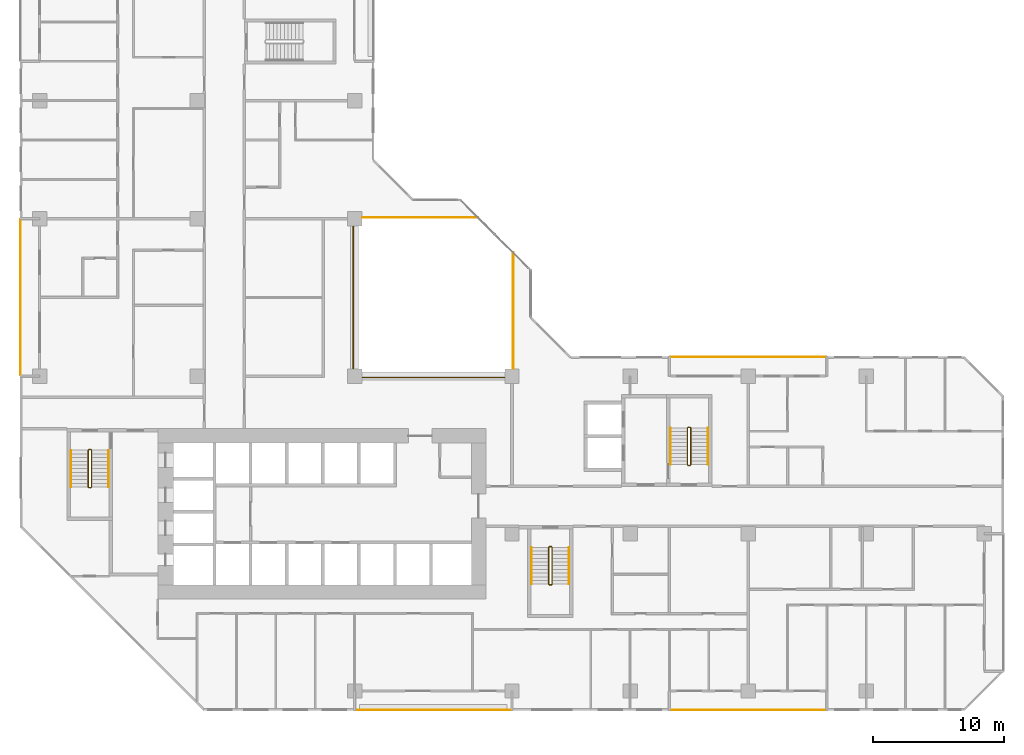
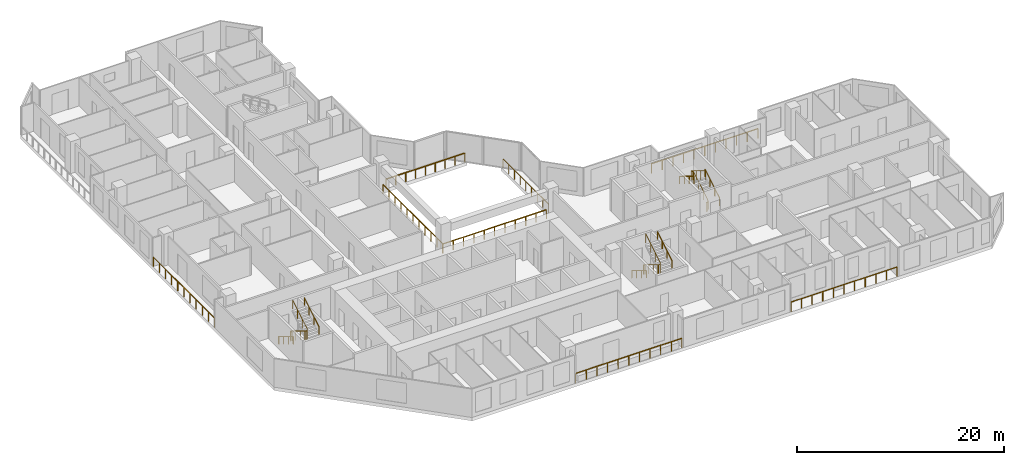
# One storey, part 14 of 15: 16 railings.
"""IFC4 building model written with IfcOpenShell, lengths in metres."""

from ifc_helpers import new_model, si_unit, direction, frame, origin, origin_2d, place, context, subcontext, project, spatial, rectangle, extrude, material, type_object, element, save


model = new_model("IFC4")

# Units and contexts
model_context = context("Model", 3, precision=1e-05, world=origin(), true_north=direction((0.0, 1.0)))
body_context = subcontext(model_context, "Body", "Model", "MODEL_VIEW")
ifc_project = project(units=[si_unit("LENGTHUNIT", "METRE"), si_unit("AREAUNIT", "SQUARE_METRE"), si_unit("VOLUMEUNIT", "CUBIC_METRE"), si_unit("PLANEANGLEUNIT", "RADIAN"), si_unit("MASSUNIT", "GRAM", prefix="KILO")], contexts=[model_context])

# Site, building, storey
site_placement = place(None, origin())
site = spatial("IfcSite", under=ifc_project, at=site_placement, CompositionType="ELEMENT")
building_placement = place(site_placement, origin())
building = spatial("IfcBuilding", under=site, at=building_placement, Name="Chenar Terraces", CompositionType="ELEMENT")
storey_placement = place(building_placement, frame((0.0, 0.0, 67.64990234375)))
storey = spatial("IfcBuildingStorey", under=building, at=storey_placement, Name="L14", CompositionType="ELEMENT", Elevation=67.64990234375)

# Railings
ifc_material_1 = material(Name="Powder-coated steel", Category="steel")
railing_type_1 = type_object("IfcRailingType", Name="Guard 1100 steel rail with glass infill", PredefinedType="GUARDRAIL", material=ifc_material_1)
railing_1_placement = place(storey_placement, frame((23.89990234375, 35.449951171875, 0.0)))
element("IfcRailing", 1, at=railing_1_placement, inside=storey, type_object=railing_type_1, Name="Guard L14-1", PredefinedType="GUARDRAIL", context=body_context, shape_type="SweptSolid", body=[
    extrude(rectangle(XDim=0.06005859375, YDim=0.06005859375, at=origin_2d()), frame((0.0, 0.0, 1.070068359375), z_axis=(0.0, -1.0, 0.0), x_axis=(1.0, 0.0, 0.0)), (0.0, 0.0, 1.0), 11.550048828125),
    extrude(rectangle(XDim=0.06005859375, YDim=0.06005859375, at=origin_2d()), frame((0.0, -11.550048828125, 1.070068359375), z_axis=(1.0, 0.0, 0.0), x_axis=(0.0, 1.0, 0.0)), (0.0, 0.0, 1.0), 11.550048828125),
    extrude(rectangle(XDim=0.050048828125, YDim=0.050048828125, at=origin_2d()), origin(), (0.0, 0.0, 1.0), 1.0400390625),
    extrude(rectangle(XDim=0.050048828125, YDim=0.050048828125, at=origin_2d()), frame((0.0, -1.155029296875, 0.0)), (0.0, 0.0, 1.0), 1.0400390625),
    extrude(rectangle(XDim=0.050048828125, YDim=0.050048828125, at=origin_2d()), frame((0.0, -2.31005859375, 0.0)), (0.0, 0.0, 1.0), 1.0400390625),
    extrude(rectangle(XDim=0.050048828125, YDim=0.050048828125, at=origin_2d()), frame((0.0, -3.465087890625, 0.0)), (0.0, 0.0, 1.0), 1.0400390625),
    extrude(rectangle(XDim=0.050048828125, YDim=0.050048828125, at=origin_2d()), frame((0.0, -4.6201171875, 0.0)), (0.0, 0.0, 1.0), 1.0400390625),
    extrude(rectangle(XDim=0.050048828125, YDim=0.050048828125, at=origin_2d()), frame((0.0, -5.77490234375, 0.0)), (0.0, 0.0, 1.0), 1.0400390625),
    extrude(rectangle(XDim=0.050048828125, YDim=0.050048828125, at=origin_2d()), frame((0.0, -6.929931640625, 0.0)), (0.0, 0.0, 1.0), 1.0400390625),
    extrude(rectangle(XDim=0.050048828125, YDim=0.050048828125, at=origin_2d()), frame((0.0, -8.0849609375, 0.0)), (0.0, 0.0, 1.0), 1.0400390625),
    extrude(rectangle(XDim=0.050048828125, YDim=0.050048828125, at=origin_2d()), frame((0.0, -9.239990234375, 0.0)), (0.0, 0.0, 1.0), 1.0400390625),
    extrude(rectangle(XDim=0.050048828125, YDim=0.050048828125, at=origin_2d()), frame((0.0, -10.39501953125, 0.0)), (0.0, 0.0, 1.0), 1.0400390625),
    extrude(rectangle(XDim=0.050048828125, YDim=0.050048828125, at=origin_2d()), frame((0.0, -11.550048828125, 0.0)), (0.0, 0.0, 1.0), 1.0400390625),
    extrude(rectangle(XDim=0.050048828125, YDim=0.050048828125, at=origin_2d()), frame((1.155029296875, -11.550048828125, 0.0)), (0.0, 0.0, 1.0), 1.0400390625),
    extrude(rectangle(XDim=0.050048828125, YDim=0.050048828125, at=origin_2d()), frame((2.31005859375, -11.550048828125, 0.0)), (0.0, 0.0, 1.0), 1.0400390625),
    extrude(rectangle(XDim=0.050048828125, YDim=0.050048828125, at=origin_2d()), frame((3.465087890625, -11.550048828125, 0.0)), (0.0, 0.0, 1.0), 1.0400390625),
    extrude(rectangle(XDim=0.050048828125, YDim=0.050048828125, at=origin_2d()), frame((4.6201171875, -11.550048828125, 0.0)), (0.0, 0.0, 1.0), 1.0400390625),
    extrude(rectangle(XDim=0.050048828125, YDim=0.050048828125, at=origin_2d()), frame((5.77490234375, -11.550048828125, 0.0)), (0.0, 0.0, 1.0), 1.0400390625),
    extrude(rectangle(XDim=0.050048828125, YDim=0.050048828125, at=origin_2d()), frame((6.929931640625, -11.550048828125, 0.0)), (0.0, 0.0, 1.0), 1.0400390625),
    extrude(rectangle(XDim=0.050048828125, YDim=0.050048828125, at=origin_2d()), frame((8.0849609375, -11.550048828125, 0.0)), (0.0, 0.0, 1.0), 1.0400390625),
    extrude(rectangle(XDim=0.050048828125, YDim=0.050048828125, at=origin_2d()), frame((9.239990234375, -11.550048828125, 0.0)), (0.0, 0.0, 1.0), 1.0400390625),
    extrude(rectangle(XDim=0.050048828125, YDim=0.050048828125, at=origin_2d()), frame((10.39501953125, -11.550048828125, 0.0)), (0.0, 0.0, 1.0), 1.0400390625),
    extrude(rectangle(XDim=0.050048828125, YDim=0.050048828125, at=origin_2d()), frame((11.550048828125, -11.550048828125, 0.0)), (0.0, 0.0, 1.0), 1.0400390625),
])
railing_2_placement = place(storey_placement, frame((24.60009765625, 36.10009765625, 0.0)))
element("IfcRailing", 2, at=railing_2_placement, inside=storey, type_object=railing_type_1, Name="Guard L14-2", PredefinedType="GUARDRAIL", context=body_context, shape_type="SweptSolid", body=[
    extrude(rectangle(XDim=0.06005859375, YDim=0.06005859375, at=origin_2d()), frame((0.0, 0.0, 1.070068359375), z_axis=(1.0, 0.0, 0.0), x_axis=(0.0, 1.0, 0.0)), (0.0, 0.0, 1.0), 8.7998046875),
    extrude(rectangle(XDim=0.050048828125, YDim=0.050048828125, at=origin_2d()), origin(), (0.0, 0.0, 1.0), 1.0400390625),
    extrude(rectangle(XDim=0.050048828125, YDim=0.050048828125, at=origin_2d()), frame((1.10009765625, 0.0, 0.0)), (0.0, 0.0, 1.0), 1.0400390625),
    extrude(rectangle(XDim=0.050048828125, YDim=0.050048828125, at=origin_2d()), frame((2.199951171875, 0.0, 0.0)), (0.0, 0.0, 1.0), 1.0400390625),
    extrude(rectangle(XDim=0.050048828125, YDim=0.050048828125, at=origin_2d()), frame((3.2998046875, 0.0, 0.0)), (0.0, 0.0, 1.0), 1.0400390625),
    extrude(rectangle(XDim=0.050048828125, YDim=0.050048828125, at=origin_2d()), frame((4.39990234375, 0.0, 0.0)), (0.0, 0.0, 1.0), 1.0400390625),
    extrude(rectangle(XDim=0.050048828125, YDim=0.050048828125, at=origin_2d()), frame((5.5, 0.0, 0.0)), (0.0, 0.0, 1.0), 1.0400390625),
    extrude(rectangle(XDim=0.050048828125, YDim=0.050048828125, at=origin_2d()), frame((6.599853515625, 0.0, 0.0)), (0.0, 0.0, 1.0), 1.0400390625),
    extrude(rectangle(XDim=0.050048828125, YDim=0.050048828125, at=origin_2d()), frame((7.69970703125, 0.0, 0.0)), (0.0, 0.0, 1.0), 1.0400390625),
    extrude(rectangle(XDim=0.050048828125, YDim=0.050048828125, at=origin_2d()), frame((8.7998046875, 0.0, 0.0)), (0.0, 0.0, 1.0), 1.0400390625),
])
railing_3_placement = place(storey_placement, frame((36.10009765625, 24.60009765625, 0.0)))
element("IfcRailing", 3, at=railing_3_placement, inside=storey, type_object=railing_type_1, Name="Guard L14-3", PredefinedType="GUARDRAIL", context=body_context, shape_type="SweptSolid", body=[
    extrude(rectangle(XDim=0.06005859375, YDim=0.06005859375, at=origin_2d()), frame((0.0, 0.0, 1.070068359375), z_axis=(0.0, 1.0, 0.0), x_axis=(-1.0, 0.0, 0.0)), (0.0, 0.0, 1.0), 8.7998046875),
    extrude(rectangle(XDim=0.050048828125, YDim=0.050048828125, at=origin_2d()), origin(), (0.0, 0.0, 1.0), 1.0400390625),
    extrude(rectangle(XDim=0.050048828125, YDim=0.050048828125, at=origin_2d()), frame((0.0, 1.10009765625, 0.0)), (0.0, 0.0, 1.0), 1.0400390625),
    extrude(rectangle(XDim=0.050048828125, YDim=0.050048828125, at=origin_2d()), frame((0.0, 2.199951171875, 0.0)), (0.0, 0.0, 1.0), 1.0400390625),
    extrude(rectangle(XDim=0.050048828125, YDim=0.050048828125, at=origin_2d()), frame((0.0, 3.2998046875, 0.0)), (0.0, 0.0, 1.0), 1.0400390625),
    extrude(rectangle(XDim=0.050048828125, YDim=0.050048828125, at=origin_2d()), frame((0.0, 4.39990234375, 0.0)), (0.0, 0.0, 1.0), 1.0400390625),
    extrude(rectangle(XDim=0.050048828125, YDim=0.050048828125, at=origin_2d()), frame((0.0, 5.5, 0.0)), (0.0, 0.0, 1.0), 1.0400390625),
    extrude(rectangle(XDim=0.050048828125, YDim=0.050048828125, at=origin_2d()), frame((0.0, 6.599853515625, 0.0)), (0.0, 0.0, 1.0), 1.0400390625),
    extrude(rectangle(XDim=0.050048828125, YDim=0.050048828125, at=origin_2d()), frame((0.0, 7.69970703125, 0.0)), (0.0, 0.0, 1.0), 1.0400390625),
    extrude(rectangle(XDim=0.050048828125, YDim=0.050048828125, at=origin_2d()), frame((0.0, 8.7998046875, 0.0)), (0.0, 0.0, 1.0), 1.0400390625),
])
ifc_material_2 = material(Name="Stainless steel and glass", Category="steel")
railing_type_2 = type_object("IfcRailingType", Name="Loggia guard 1150", PredefinedType="GUARDRAIL", material=ifc_material_2)
railing_4_placement = place(storey_placement, frame((59.925048828125, 25.449951171875, 0.0)))
element("IfcRailing", 4, at=railing_4_placement, inside=storey, type_object=railing_type_2, Name="Loggia guard", PredefinedType="GUARDRAIL", context=body_context, shape_type="SweptSolid", body=[
    extrude(rectangle(XDim=0.048095703125, YDim=0.048095703125, at=origin_2d()), frame((0.0, 0.0, 1.1259765625), z_axis=(-1.0, 0.0, 0.0), x_axis=(0.0, -1.0, 0.0)), (0.0, 0.0, 1.0), 11.85009765625),
    extrude(rectangle(XDim=0.0419921875, YDim=0.0419921875, at=origin_2d()), origin(), (0.0, 0.0, 1.0), 1.101806640625),
    extrude(rectangle(XDim=0.0419921875, YDim=0.0419921875, at=origin_2d()), frame((-1.18505859375, 0.0, 0.0)), (0.0, 0.0, 1.0), 1.101806640625),
    extrude(rectangle(XDim=0.0419921875, YDim=0.0419921875, at=origin_2d()), frame((-2.3701171875, 0.0, 0.0)), (0.0, 0.0, 1.0), 1.101806640625),
    extrude(rectangle(XDim=0.0419921875, YDim=0.0419921875, at=origin_2d()), frame((-3.554931640625, 0.0, 0.0)), (0.0, 0.0, 1.0), 1.101806640625),
    extrude(rectangle(XDim=0.0419921875, YDim=0.0419921875, at=origin_2d()), frame((-4.739990234375, 0.0, 0.0)), (0.0, 0.0, 1.0), 1.101806640625),
    extrude(rectangle(XDim=0.0419921875, YDim=0.0419921875, at=origin_2d()), frame((-5.925048828125, 0.0, 0.0)), (0.0, 0.0, 1.0), 1.101806640625),
    extrude(rectangle(XDim=0.0419921875, YDim=0.0419921875, at=origin_2d()), frame((-7.110107421875, 0.0, 0.0)), (0.0, 0.0, 1.0), 1.101806640625),
    extrude(rectangle(XDim=0.0419921875, YDim=0.0419921875, at=origin_2d()), frame((-8.295166015625, 0.0, 0.0)), (0.0, 0.0, 1.0), 1.101806640625),
    extrude(rectangle(XDim=0.0419921875, YDim=0.0419921875, at=origin_2d()), frame((-9.47998046875, 0.0, 0.0)), (0.0, 0.0, 1.0), 1.101806640625),
    extrude(rectangle(XDim=0.0419921875, YDim=0.0419921875, at=origin_2d()), frame((-10.6650390625, 0.0, 0.0)), (0.0, 0.0, 1.0), 1.101806640625),
    extrude(rectangle(XDim=0.0419921875, YDim=0.0419921875, at=origin_2d()), frame((-11.85009765625, 0.0, 0.0)), (0.0, 0.0, 1.0), 1.101806640625),
])
railing_5_placement = place(storey_placement, frame((24.074951171875, -1.449951171875, 0.0)))
element("IfcRailing", 5, at=railing_5_placement, inside=storey, type_object=railing_type_2, Name="Loggia guard", PredefinedType="GUARDRAIL", context=body_context, shape_type="SweptSolid", body=[
    extrude(rectangle(XDim=0.048095703125, YDim=0.048095703125, at=origin_2d()), frame((0.0, 0.0, 1.1259765625), z_axis=(1.0, 0.0, 0.0), x_axis=(0.0, 1.0, 0.0)), (0.0, 0.0, 1.0), 11.85009765625),
    extrude(rectangle(XDim=0.0419921875, YDim=0.0419921875, at=origin_2d()), origin(), (0.0, 0.0, 1.0), 1.101806640625),
    extrude(rectangle(XDim=0.0419921875, YDim=0.0419921875, at=origin_2d()), frame((1.18505859375, 0.0, 0.0)), (0.0, 0.0, 1.0), 1.101806640625),
    extrude(rectangle(XDim=0.0419921875, YDim=0.0419921875, at=origin_2d()), frame((2.3701171875, 0.0, 0.0)), (0.0, 0.0, 1.0), 1.101806640625),
    extrude(rectangle(XDim=0.0419921875, YDim=0.0419921875, at=origin_2d()), frame((3.554931640625, 0.0, 0.0)), (0.0, 0.0, 1.0), 1.101806640625),
    extrude(rectangle(XDim=0.0419921875, YDim=0.0419921875, at=origin_2d()), frame((4.739990234375, 0.0, 0.0)), (0.0, 0.0, 1.0), 1.101806640625),
    extrude(rectangle(XDim=0.0419921875, YDim=0.0419921875, at=origin_2d()), frame((5.925048828125, 0.0, 0.0)), (0.0, 0.0, 1.0), 1.101806640625),
    extrude(rectangle(XDim=0.0419921875, YDim=0.0419921875, at=origin_2d()), frame((7.110107421875, 0.0, 0.0)), (0.0, 0.0, 1.0), 1.101806640625),
    extrude(rectangle(XDim=0.0419921875, YDim=0.0419921875, at=origin_2d()), frame((8.295166015625, 0.0, 0.0)), (0.0, 0.0, 1.0), 1.101806640625),
    extrude(rectangle(XDim=0.0419921875, YDim=0.0419921875, at=origin_2d()), frame((9.47998046875, 0.0, 0.0)), (0.0, 0.0, 1.0), 1.101806640625),
    extrude(rectangle(XDim=0.0419921875, YDim=0.0419921875, at=origin_2d()), frame((10.6650390625, 0.0, 0.0)), (0.0, 0.0, 1.0), 1.101806640625),
    extrude(rectangle(XDim=0.0419921875, YDim=0.0419921875, at=origin_2d()), frame((11.85009765625, 0.0, 0.0)), (0.0, 0.0, 1.0), 1.101806640625),
])
railing_6_placement = place(storey_placement, frame((48.074951171875, -1.449951171875, 0.0)))
element("IfcRailing", 6, at=railing_6_placement, inside=storey, type_object=railing_type_2, Name="Loggia guard", PredefinedType="GUARDRAIL", context=body_context, shape_type="SweptSolid", body=[
    extrude(rectangle(XDim=0.048095703125, YDim=0.048095703125, at=origin_2d()), frame((0.0, 0.0, 1.1259765625), z_axis=(1.0, 0.0, 0.0), x_axis=(0.0, 1.0, 0.0)), (0.0, 0.0, 1.0), 11.85009765625),
    extrude(rectangle(XDim=0.0419921875, YDim=0.0419921875, at=origin_2d()), origin(), (0.0, 0.0, 1.0), 1.101806640625),
    extrude(rectangle(XDim=0.0419921875, YDim=0.0419921875, at=origin_2d()), frame((1.18505859375, 0.0, 0.0)), (0.0, 0.0, 1.0), 1.101806640625),
    extrude(rectangle(XDim=0.0419921875, YDim=0.0419921875, at=origin_2d()), frame((2.3701171875, 0.0, 0.0)), (0.0, 0.0, 1.0), 1.101806640625),
    extrude(rectangle(XDim=0.0419921875, YDim=0.0419921875, at=origin_2d()), frame((3.554931640625, 0.0, 0.0)), (0.0, 0.0, 1.0), 1.101806640625),
    extrude(rectangle(XDim=0.0419921875, YDim=0.0419921875, at=origin_2d()), frame((4.739990234375, 0.0, 0.0)), (0.0, 0.0, 1.0), 1.101806640625),
    extrude(rectangle(XDim=0.0419921875, YDim=0.0419921875, at=origin_2d()), frame((5.925048828125, 0.0, 0.0)), (0.0, 0.0, 1.0), 1.101806640625),
    extrude(rectangle(XDim=0.0419921875, YDim=0.0419921875, at=origin_2d()), frame((7.110107421875, 0.0, 0.0)), (0.0, 0.0, 1.0), 1.101806640625),
    extrude(rectangle(XDim=0.0419921875, YDim=0.0419921875, at=origin_2d()), frame((8.295166015625, 0.0, 0.0)), (0.0, 0.0, 1.0), 1.101806640625),
    extrude(rectangle(XDim=0.0419921875, YDim=0.0419921875, at=origin_2d()), frame((9.47998046875, 0.0, 0.0)), (0.0, 0.0, 1.0), 1.101806640625),
    extrude(rectangle(XDim=0.0419921875, YDim=0.0419921875, at=origin_2d()), frame((10.6650390625, 0.0, 0.0)), (0.0, 0.0, 1.0), 1.101806640625),
    extrude(rectangle(XDim=0.0419921875, YDim=0.0419921875, at=origin_2d()), frame((11.85009765625, 0.0, 0.0)), (0.0, 0.0, 1.0), 1.101806640625),
])
railing_7_placement = place(storey_placement, frame((-1.449951171875, 35.925048828125, 0.0)))
element("IfcRailing", 7, at=railing_7_placement, inside=storey, type_object=railing_type_2, Name="Loggia guard", PredefinedType="GUARDRAIL", context=body_context, shape_type="SweptSolid", body=[
    extrude(rectangle(XDim=0.048095703125, YDim=0.048095703125, at=origin_2d()), frame((0.0, 0.0, 1.1259765625), z_axis=(0.0, -1.0, 0.0), x_axis=(1.0, 0.0, 0.0)), (0.0, 0.0, 1.0), 11.85009765625),
    extrude(rectangle(XDim=0.0419921875, YDim=0.0419921875, at=origin_2d()), origin(), (0.0, 0.0, 1.0), 1.101806640625),
    extrude(rectangle(XDim=0.0419921875, YDim=0.0419921875, at=origin_2d()), frame((0.0, -1.18505859375, 0.0)), (0.0, 0.0, 1.0), 1.101806640625),
    extrude(rectangle(XDim=0.0419921875, YDim=0.0419921875, at=origin_2d()), frame((0.0, -2.3701171875, 0.0)), (0.0, 0.0, 1.0), 1.101806640625),
    extrude(rectangle(XDim=0.0419921875, YDim=0.0419921875, at=origin_2d()), frame((0.0, -3.554931640625, 0.0)), (0.0, 0.0, 1.0), 1.101806640625),
    extrude(rectangle(XDim=0.0419921875, YDim=0.0419921875, at=origin_2d()), frame((0.0, -4.739990234375, 0.0)), (0.0, 0.0, 1.0), 1.101806640625),
    extrude(rectangle(XDim=0.0419921875, YDim=0.0419921875, at=origin_2d()), frame((0.0, -5.925048828125, 0.0)), (0.0, 0.0, 1.0), 1.101806640625),
    extrude(rectangle(XDim=0.0419921875, YDim=0.0419921875, at=origin_2d()), frame((0.0, -7.110107421875, 0.0)), (0.0, 0.0, 1.0), 1.101806640625),
    extrude(rectangle(XDim=0.0419921875, YDim=0.0419921875, at=origin_2d()), frame((0.0, -8.295166015625, 0.0)), (0.0, 0.0, 1.0), 1.101806640625),
    extrude(rectangle(XDim=0.0419921875, YDim=0.0419921875, at=origin_2d()), frame((0.0, -9.47998046875, 0.0)), (0.0, 0.0, 1.0), 1.101806640625),
    extrude(rectangle(XDim=0.0419921875, YDim=0.0419921875, at=origin_2d()), frame((0.0, -10.6650390625, 0.0)), (0.0, 0.0, 1.0), 1.101806640625),
    extrude(rectangle(XDim=0.0419921875, YDim=0.0419921875, at=origin_2d()), frame((0.0, -11.85009765625, 0.0)), (0.0, 0.0, 1.0), 1.101806640625),
])
ifc_material_3 = material(Name="Powder-coated steel", Category="steel")
railing_type_3 = type_object("IfcRailingType", Name="Stair guard 1100", PredefinedType="GUARDRAIL", material=ifc_material_3)
railing_8_placement = place(storey_placement, frame((3.949951171875, 18.35009765625, 3.75)))
element("IfcRailing", 8, at=railing_8_placement, inside=storey, type_object=railing_type_3, Name="L14 ST1 stair guard 1", PredefinedType="GUARDRAIL", context=body_context, shape_type="SweptSolid", body=[
    extrude(rectangle(XDim=0.048095703125, YDim=0.048095703125, at=origin_2d()), frame((0.0, 0.0, 1.076171875), z_axis=(0.0, -0.854202870247, -0.519939858505), x_axis=(1.0, 0.0, 0.0)), (0.0, 0.0, 1.0), 3.278076171875),
    extrude(rectangle(XDim=0.048095703125, YDim=0.048095703125, at=origin_2d()), frame((0.0, -2.800048828125, -0.62841796875), z_axis=(-0.270899902878, -0.270899902878, -0.923702595667), x_axis=(0.707106781187, -0.707106781187, 0.0)), (0.0, 0.0, 1.0), 0.184814453125),
    extrude(rectangle(XDim=0.048095703125, YDim=0.048095703125, at=origin_2d()), frame((-0.050048828125, -2.85009765625, -0.798828125), z_axis=(-1.0, 0.0, 0.0), x_axis=(0.0, -1.0, 0.0)), (0.0, 0.0, 1.0), 0.14990234375),
    extrude(rectangle(XDim=0.048095703125, YDim=0.048095703125, at=origin_2d()), frame((-0.199951171875, -2.85009765625, -0.798828125), z_axis=(-0.707106781187, 0.707106781187, 0.0), x_axis=(-0.707106781187, -0.707106781187, 0.0)), (0.0, 0.0, 1.0), 0.07080078125),
    extrude(rectangle(XDim=0.048095703125, YDim=0.048095703125, at=origin_2d()), frame((-0.25, -2.800048828125, -0.798828125), z_axis=(0.0, 0.854202870247, -0.519939858505), x_axis=(-1.0, 0.0, 0.0)), (0.0, 0.0, 1.0), 3.278076171875),
    extrude(rectangle(XDim=0.048095703125, YDim=0.048095703125, at=origin_2d()), frame((-0.25, 0.0, -2.50341796875), z_axis=(0.270996696079, 0.269674760976, -0.924032636873), x_axis=(-0.705375805398, 0.708833529934, 0.0)), (0.0, 0.0, 1.0), 0.1845703125),
    extrude(rectangle(XDim=0.048095703125, YDim=0.048095703125, at=origin_2d()), frame((-0.199951171875, 0.0498046875, -2.673828125), z_axis=(1.0, 0.0, 0.0), x_axis=(0.0, 1.0, 0.0)), (0.0, 0.0, 1.0), 0.14990234375),
    extrude(rectangle(XDim=0.0419921875, YDim=0.0419921875, at=origin_2d()), origin(), (0.0, 0.0, 1.0), 1.052001953125),
    extrude(rectangle(XDim=0.0419921875, YDim=0.0419921875, at=origin_2d()), frame((0.0, -0.933349609375, -0.568115234375)), (0.0, 0.0, 1.0), 1.052001953125),
    extrude(rectangle(XDim=0.0419921875, YDim=0.0419921875, at=origin_2d()), frame((0.0, -1.86669921875, -1.13623046875)), (0.0, 0.0, 1.0), 1.052001953125),
    extrude(rectangle(XDim=0.0419921875, YDim=0.0419921875, at=origin_2d()), frame((0.0, -2.800048828125, -1.704345703125)), (0.0, 0.0, 1.0), 1.052001953125),
    extrude(rectangle(XDim=0.0419921875, YDim=0.0419921875, at=origin_2d()), frame((-0.050048828125, -2.85009765625, -1.875)), (0.0, 0.0, 1.0), 1.052001953125),
    extrude(rectangle(XDim=0.0419921875, YDim=0.0419921875, at=origin_2d()), frame((-0.199951171875, -2.85009765625, -1.875)), (0.0, 0.0, 1.0), 1.052001953125),
    extrude(rectangle(XDim=0.0419921875, YDim=0.0419921875, at=origin_2d()), frame((-0.25, -2.800048828125, -1.875)), (0.0, 0.0, 1.0), 1.052001953125),
    extrude(rectangle(XDim=0.0419921875, YDim=0.0419921875, at=origin_2d()), frame((-0.25, -1.86669921875, -2.443115234375)), (0.0, 0.0, 1.0), 1.052001953125),
    extrude(rectangle(XDim=0.0419921875, YDim=0.0419921875, at=origin_2d()), frame((-0.25, -0.933349609375, -3.01123046875)), (0.0, 0.0, 1.0), 1.052001953125),
    extrude(rectangle(XDim=0.0419921875, YDim=0.0419921875, at=origin_2d()), frame((-0.25, 0.0, -3.579345703125)), (0.0, 0.0, 1.0), 1.052001953125),
    extrude(rectangle(XDim=0.0419921875, YDim=0.0419921875, at=origin_2d()), frame((-0.199951171875, 0.0498046875, -3.75)), (0.0, 0.0, 1.0), 1.052001953125),
    extrude(rectangle(XDim=0.0419921875, YDim=0.0419921875, at=origin_2d()), frame((-0.050048828125, 0.0498046875, -3.75)), (0.0, 0.0, 1.0), 1.052001953125),
])
railing_9_placement = place(storey_placement, frame((39.050048828125, 10.949951171875, 3.75)))
element("IfcRailing", 9, at=railing_9_placement, inside=storey, type_object=railing_type_3, Name="L14 ST2 stair guard 1", PredefinedType="GUARDRAIL", context=body_context, shape_type="SweptSolid", body=[
    extrude(rectangle(XDim=0.048095703125, YDim=0.048095703125, at=origin_2d()), frame((0.0, 0.0, 1.076171875), z_axis=(0.0, -0.854202870247, -0.519939858505), x_axis=(1.0, 0.0, 0.0)), (0.0, 0.0, 1.0), 3.278076171875),
    extrude(rectangle(XDim=0.048095703125, YDim=0.048095703125, at=origin_2d()), frame((0.0, -2.800048828125, -0.62841796875), z_axis=(-0.270996696079, -0.269674760976, -0.924032636873), x_axis=(0.705375805398, -0.708833529934, 0.0)), (0.0, 0.0, 1.0), 0.1845703125),
    extrude(rectangle(XDim=0.048095703125, YDim=0.048095703125, at=origin_2d()), frame((-0.050048828125, -2.849853515625, -0.798828125), z_axis=(-1.0, 0.0, 0.0), x_axis=(0.0, -1.0, 0.0)), (0.0, 0.0, 1.0), 0.14990234375),
    extrude(rectangle(XDim=0.048095703125, YDim=0.048095703125, at=origin_2d()), frame((-0.199951171875, -2.849853515625, -0.798828125), z_axis=(-0.708833529934, 0.705375805398, 0.0), x_axis=(-0.705375805398, -0.708833529934, 0.0)), (0.0, 0.0, 1.0), 0.070556640625),
    extrude(rectangle(XDim=0.048095703125, YDim=0.048095703125, at=origin_2d()), frame((-0.25, -2.800048828125, -0.798828125), z_axis=(0.0, 0.854202870247, -0.519939858505), x_axis=(-1.0, 0.0, 0.0)), (0.0, 0.0, 1.0), 3.278076171875),
    extrude(rectangle(XDim=0.048095703125, YDim=0.048095703125, at=origin_2d()), frame((-0.25, 0.0, -2.50341796875), z_axis=(0.270899902878, 0.270899902878, -0.923702595667), x_axis=(-0.707106781187, 0.707106781187, 0.0)), (0.0, 0.0, 1.0), 0.184814453125),
    extrude(rectangle(XDim=0.048095703125, YDim=0.048095703125, at=origin_2d()), frame((-0.199951171875, 0.050048828125, -2.673828125), z_axis=(1.0, 0.0, 0.0), x_axis=(0.0, 1.0, 0.0)), (0.0, 0.0, 1.0), 0.14990234375),
    extrude(rectangle(XDim=0.0419921875, YDim=0.0419921875, at=origin_2d()), origin(), (0.0, 0.0, 1.0), 1.052001953125),
    extrude(rectangle(XDim=0.0419921875, YDim=0.0419921875, at=origin_2d()), frame((0.0, -0.933349609375, -0.568115234375)), (0.0, 0.0, 1.0), 1.052001953125),
    extrude(rectangle(XDim=0.0419921875, YDim=0.0419921875, at=origin_2d()), frame((0.0, -1.86669921875, -1.13623046875)), (0.0, 0.0, 1.0), 1.052001953125),
    extrude(rectangle(XDim=0.0419921875, YDim=0.0419921875, at=origin_2d()), frame((0.0, -2.800048828125, -1.704345703125)), (0.0, 0.0, 1.0), 1.052001953125),
    extrude(rectangle(XDim=0.0419921875, YDim=0.0419921875, at=origin_2d()), frame((-0.050048828125, -2.849853515625, -1.875)), (0.0, 0.0, 1.0), 1.052001953125),
    extrude(rectangle(XDim=0.0419921875, YDim=0.0419921875, at=origin_2d()), frame((-0.199951171875, -2.849853515625, -1.875)), (0.0, 0.0, 1.0), 1.052001953125),
    extrude(rectangle(XDim=0.0419921875, YDim=0.0419921875, at=origin_2d()), frame((-0.25, -2.800048828125, -1.875)), (0.0, 0.0, 1.0), 1.052001953125),
    extrude(rectangle(XDim=0.0419921875, YDim=0.0419921875, at=origin_2d()), frame((-0.25, -1.86669921875, -2.443115234375)), (0.0, 0.0, 1.0), 1.052001953125),
    extrude(rectangle(XDim=0.0419921875, YDim=0.0419921875, at=origin_2d()), frame((-0.25, -0.933349609375, -3.01123046875)), (0.0, 0.0, 1.0), 1.052001953125),
    extrude(rectangle(XDim=0.0419921875, YDim=0.0419921875, at=origin_2d()), frame((-0.25, 0.0, -3.579345703125)), (0.0, 0.0, 1.0), 1.052001953125),
    extrude(rectangle(XDim=0.0419921875, YDim=0.0419921875, at=origin_2d()), frame((-0.199951171875, 0.050048828125, -3.75)), (0.0, 0.0, 1.0), 1.052001953125),
    extrude(rectangle(XDim=0.0419921875, YDim=0.0419921875, at=origin_2d()), frame((-0.050048828125, 0.050048828125, -3.75)), (0.0, 0.0, 1.0), 1.052001953125),
])
railing_10_placement = place(storey_placement, frame((49.375, 17.25, 3.75)))
element("IfcRailing", 10, at=railing_10_placement, inside=storey, type_object=railing_type_3, Name="L14 ST3 stair guard 1", PredefinedType="GUARDRAIL", context=body_context, shape_type="SweptSolid", body=[
    extrude(rectangle(XDim=0.048095703125, YDim=0.048095703125, at=origin_2d()), frame((0.0, 0.0, 1.076171875), z_axis=(0.0, 0.854202870247, -0.519939858505), x_axis=(-1.0, 0.0, 0.0)), (0.0, 0.0, 1.0), 3.278076171875),
    extrude(rectangle(XDim=0.048095703125, YDim=0.048095703125, at=origin_2d()), frame((0.0, 2.800048828125, -0.62841796875), z_axis=(0.270899902878, 0.270899902878, -0.923702595667), x_axis=(-0.707106781187, 0.707106781187, 0.0)), (0.0, 0.0, 1.0), 0.184814453125),
    extrude(rectangle(XDim=0.048095703125, YDim=0.048095703125, at=origin_2d()), frame((0.050048828125, 2.85009765625, -0.798828125), z_axis=(1.0, 0.0, 0.0), x_axis=(0.0, 1.0, 0.0)), (0.0, 0.0, 1.0), 0.14990234375),
    extrude(rectangle(XDim=0.048095703125, YDim=0.048095703125, at=origin_2d()), frame((0.199951171875, 2.85009765625, -0.798828125), z_axis=(0.707106781187, -0.707106781187, 0.0), x_axis=(0.707106781187, 0.707106781187, 0.0)), (0.0, 0.0, 1.0), 0.07080078125),
    extrude(rectangle(XDim=0.048095703125, YDim=0.048095703125, at=origin_2d()), frame((0.25, 2.800048828125, -0.798828125), z_axis=(0.0, -0.854202870247, -0.519939858505), x_axis=(1.0, 0.0, 0.0)), (0.0, 0.0, 1.0), 3.278076171875),
    extrude(rectangle(XDim=0.048095703125, YDim=0.048095703125, at=origin_2d()), frame((0.25, 0.0, -2.50341796875), z_axis=(-0.270899902878, -0.270899902878, -0.923702595667), x_axis=(0.707106781187, -0.707106781187, 0.0)), (0.0, 0.0, 1.0), 0.184814453125),
    extrude(rectangle(XDim=0.048095703125, YDim=0.048095703125, at=origin_2d()), frame((0.199951171875, -0.050048828125, -2.673828125), z_axis=(-1.0, 0.0, 0.0), x_axis=(0.0, -1.0, 0.0)), (0.0, 0.0, 1.0), 0.14990234375),
    extrude(rectangle(XDim=0.0419921875, YDim=0.0419921875, at=origin_2d()), origin(), (0.0, 0.0, 1.0), 1.052001953125),
    extrude(rectangle(XDim=0.0419921875, YDim=0.0419921875, at=origin_2d()), frame((0.0, 0.933349609375, -0.568115234375)), (0.0, 0.0, 1.0), 1.052001953125),
    extrude(rectangle(XDim=0.0419921875, YDim=0.0419921875, at=origin_2d()), frame((0.0, 1.86669921875, -1.13623046875)), (0.0, 0.0, 1.0), 1.052001953125),
    extrude(rectangle(XDim=0.0419921875, YDim=0.0419921875, at=origin_2d()), frame((0.0, 2.800048828125, -1.704345703125)), (0.0, 0.0, 1.0), 1.052001953125),
    extrude(rectangle(XDim=0.0419921875, YDim=0.0419921875, at=origin_2d()), frame((0.050048828125, 2.85009765625, -1.875)), (0.0, 0.0, 1.0), 1.052001953125),
    extrude(rectangle(XDim=0.0419921875, YDim=0.0419921875, at=origin_2d()), frame((0.199951171875, 2.85009765625, -1.875)), (0.0, 0.0, 1.0), 1.052001953125),
    extrude(rectangle(XDim=0.0419921875, YDim=0.0419921875, at=origin_2d()), frame((0.25, 2.800048828125, -1.875)), (0.0, 0.0, 1.0), 1.052001953125),
    extrude(rectangle(XDim=0.0419921875, YDim=0.0419921875, at=origin_2d()), frame((0.25, 1.86669921875, -2.443115234375)), (0.0, 0.0, 1.0), 1.052001953125),
    extrude(rectangle(XDim=0.0419921875, YDim=0.0419921875, at=origin_2d()), frame((0.25, 0.933349609375, -3.01123046875)), (0.0, 0.0, 1.0), 1.052001953125),
    extrude(rectangle(XDim=0.0419921875, YDim=0.0419921875, at=origin_2d()), frame((0.25, 0.0, -3.579345703125)), (0.0, 0.0, 1.0), 1.052001953125),
    extrude(rectangle(XDim=0.0419921875, YDim=0.0419921875, at=origin_2d()), frame((0.199951171875, -0.050048828125, -3.75)), (0.0, 0.0, 1.0), 1.052001953125),
    extrude(rectangle(XDim=0.0419921875, YDim=0.0419921875, at=origin_2d()), frame((0.050048828125, -0.050048828125, -3.75)), (0.0, 0.0, 1.0), 1.052001953125),
])
ifc_material_4 = material(Name="Powder-coated steel", Category="steel")
railing_type_4 = type_object("IfcRailingType", Name="Stair handrail 900", PredefinedType="HANDRAIL", material=ifc_material_4)
railing_11_placement = place(storey_placement, frame((2.39990234375, 18.35009765625, 0.170654296875)))
element("IfcRailing", 11, at=railing_11_placement, inside=storey, type_object=railing_type_4, Name="L14 ST1 stair handrail 1", PredefinedType="HANDRAIL", context=body_context, shape_type="SweptSolid", body=[
    extrude(rectangle(XDim=0.048095703125, YDim=0.048095703125, at=origin_2d()), frame((0.0, 0.0, 0.8759765625), z_axis=(0.0, -0.854202870247, 0.519939858505), x_axis=(1.0, 0.0, 0.0)), (0.0, 0.0, 1.0), 3.278076171875),
    extrude(rectangle(XDim=0.0419921875, YDim=0.0419921875, at=origin_2d()), origin(), (0.0, 0.0, 1.0), 0.851806640625),
    extrude(rectangle(XDim=0.0419921875, YDim=0.0419921875, at=origin_2d()), frame((0.0, -0.933349609375, 0.568115234375)), (0.0, 0.0, 1.0), 0.851806640625),
    extrude(rectangle(XDim=0.0419921875, YDim=0.0419921875, at=origin_2d()), frame((0.0, -1.86669921875, 1.13623046875)), (0.0, 0.0, 1.0), 0.851806640625),
    extrude(rectangle(XDim=0.0419921875, YDim=0.0419921875, at=origin_2d()), frame((0.0, -2.800048828125, 1.704345703125)), (0.0, 0.0, 1.0), 0.851806640625),
])
railing_12_placement = place(storey_placement, frame((5.25, 15.550048828125, 2.045654296875)))
element("IfcRailing", 12, at=railing_12_placement, inside=storey, type_object=railing_type_4, Name="L14 ST1 stair handrail 2", PredefinedType="HANDRAIL", context=body_context, shape_type="SweptSolid", body=[
    extrude(rectangle(XDim=0.048095703125, YDim=0.048095703125, at=origin_2d()), frame((0.0, 0.0, 0.8759765625), z_axis=(0.0, 0.854202870247, 0.519939858505), x_axis=(-1.0, 0.0, 0.0)), (0.0, 0.0, 1.0), 3.278076171875),
    extrude(rectangle(XDim=0.0419921875, YDim=0.0419921875, at=origin_2d()), origin(), (0.0, 0.0, 1.0), 0.851806640625),
    extrude(rectangle(XDim=0.0419921875, YDim=0.0419921875, at=origin_2d()), frame((0.0, 0.933349609375, 0.568115234375)), (0.0, 0.0, 1.0), 0.851806640625),
    extrude(rectangle(XDim=0.0419921875, YDim=0.0419921875, at=origin_2d()), frame((0.0, 1.86669921875, 1.13623046875)), (0.0, 0.0, 1.0), 0.851806640625),
    extrude(rectangle(XDim=0.0419921875, YDim=0.0419921875, at=origin_2d()), frame((0.0, 2.800048828125, 1.704345703125)), (0.0, 0.0, 1.0), 0.851806640625),
])
railing_13_placement = place(storey_placement, frame((37.5, 10.949951171875, 0.170654296875)))
element("IfcRailing", 13, at=railing_13_placement, inside=storey, type_object=railing_type_4, Name="L14 ST2 stair handrail 1", PredefinedType="HANDRAIL", context=body_context, shape_type="SweptSolid", body=[
    extrude(rectangle(XDim=0.048095703125, YDim=0.048095703125, at=origin_2d()), frame((0.0, 0.0, 0.8759765625), z_axis=(0.0, -0.854202870247, 0.519939858505), x_axis=(1.0, 0.0, 0.0)), (0.0, 0.0, 1.0), 3.278076171875),
    extrude(rectangle(XDim=0.0419921875, YDim=0.0419921875, at=origin_2d()), origin(), (0.0, 0.0, 1.0), 0.851806640625),
    extrude(rectangle(XDim=0.0419921875, YDim=0.0419921875, at=origin_2d()), frame((0.0, -0.933349609375, 0.568115234375)), (0.0, 0.0, 1.0), 0.851806640625),
    extrude(rectangle(XDim=0.0419921875, YDim=0.0419921875, at=origin_2d()), frame((0.0, -1.86669921875, 1.13623046875)), (0.0, 0.0, 1.0), 0.851806640625),
    extrude(rectangle(XDim=0.0419921875, YDim=0.0419921875, at=origin_2d()), frame((0.0, -2.800048828125, 1.704345703125)), (0.0, 0.0, 1.0), 0.851806640625),
])
for number, where, name in (
    (14, (40.35009765625, 8.14990234375, 2.045654296875), "L14 ST2 stair handrail 2"),
    (15, (50.925048828125, 17.25, 0.170654296875), "L14 ST3 stair handrail 1"),
):
    element("IfcRailing", number, at=place(storey_placement, frame(where)), inside=storey, type_object=railing_type_4, Name=name, PredefinedType="HANDRAIL", context=body_context, shape_type="SweptSolid", body=[
        extrude(rectangle(XDim=0.048095703125, YDim=0.048095703125, at=origin_2d()), frame((0.0, 0.0, 0.8759765625), z_axis=(0.0, 0.854202870247, 0.519939858505), x_axis=(-1.0, 0.0, 0.0)), (0.0, 0.0, 1.0), 3.278076171875),
        extrude(rectangle(XDim=0.0419921875, YDim=0.0419921875, at=origin_2d()), origin(), (0.0, 0.0, 1.0), 0.851806640625),
        extrude(rectangle(XDim=0.0419921875, YDim=0.0419921875, at=origin_2d()), frame((0.0, 0.933349609375, 0.568115234375)), (0.0, 0.0, 1.0), 0.851806640625),
        extrude(rectangle(XDim=0.0419921875, YDim=0.0419921875, at=origin_2d()), frame((0.0, 1.86669921875, 1.13623046875)), (0.0, 0.0, 1.0), 0.851806640625),
        extrude(rectangle(XDim=0.0419921875, YDim=0.0419921875, at=origin_2d()), frame((0.0, 2.800048828125, 1.704345703125)), (0.0, 0.0, 1.0), 0.851806640625),
    ])
railing_14_placement = place(storey_placement, frame((48.074951171875, 20.050048828125, 2.045654296875)))
element("IfcRailing", 16, at=railing_14_placement, inside=storey, type_object=railing_type_4, Name="L14 ST3 stair handrail 2", PredefinedType="HANDRAIL", context=body_context, shape_type="SweptSolid", body=[
    extrude(rectangle(XDim=0.048095703125, YDim=0.048095703125, at=origin_2d()), frame((0.0, 0.0, 0.8759765625), z_axis=(0.0, -0.854202870247, 0.519939858505), x_axis=(1.0, 0.0, 0.0)), (0.0, 0.0, 1.0), 3.278076171875),
    extrude(rectangle(XDim=0.0419921875, YDim=0.0419921875, at=origin_2d()), origin(), (0.0, 0.0, 1.0), 0.851806640625),
    extrude(rectangle(XDim=0.0419921875, YDim=0.0419921875, at=origin_2d()), frame((0.0, -0.933349609375, 0.568115234375)), (0.0, 0.0, 1.0), 0.851806640625),
    extrude(rectangle(XDim=0.0419921875, YDim=0.0419921875, at=origin_2d()), frame((0.0, -1.86669921875, 1.13623046875)), (0.0, 0.0, 1.0), 0.851806640625),
    extrude(rectangle(XDim=0.0419921875, YDim=0.0419921875, at=origin_2d()), frame((0.0, -2.800048828125, 1.704345703125)), (0.0, 0.0, 1.0), 0.851806640625),
])

save(model, "model.ifc")
